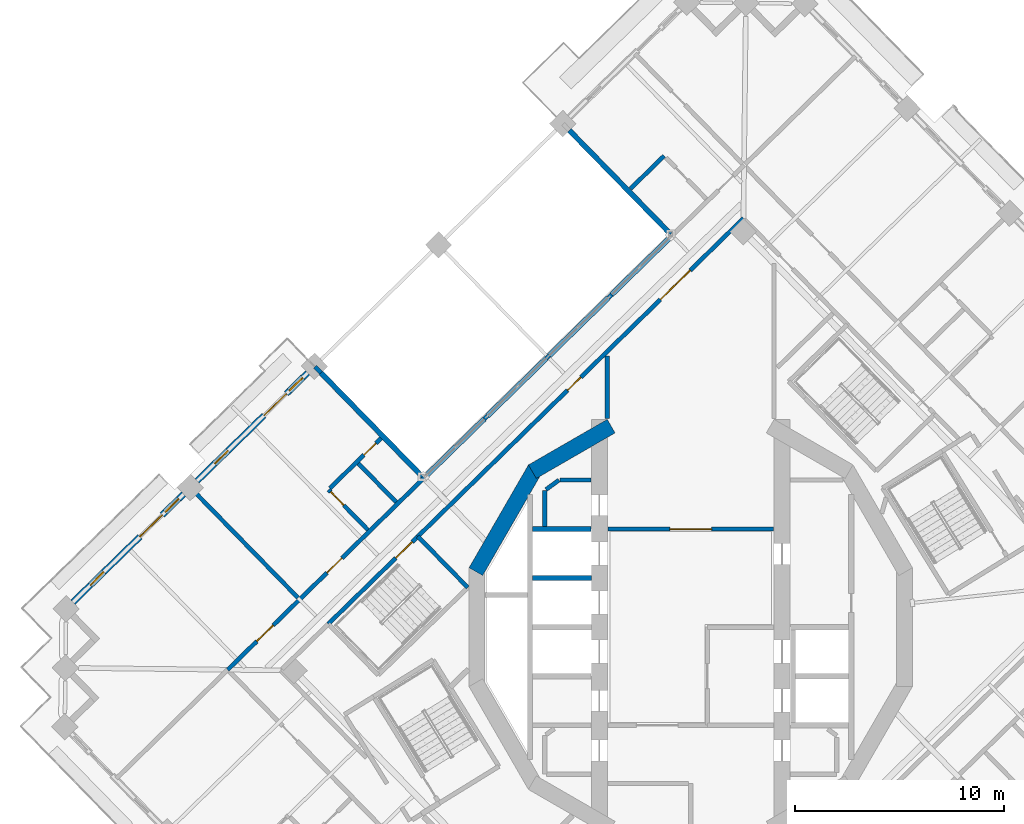
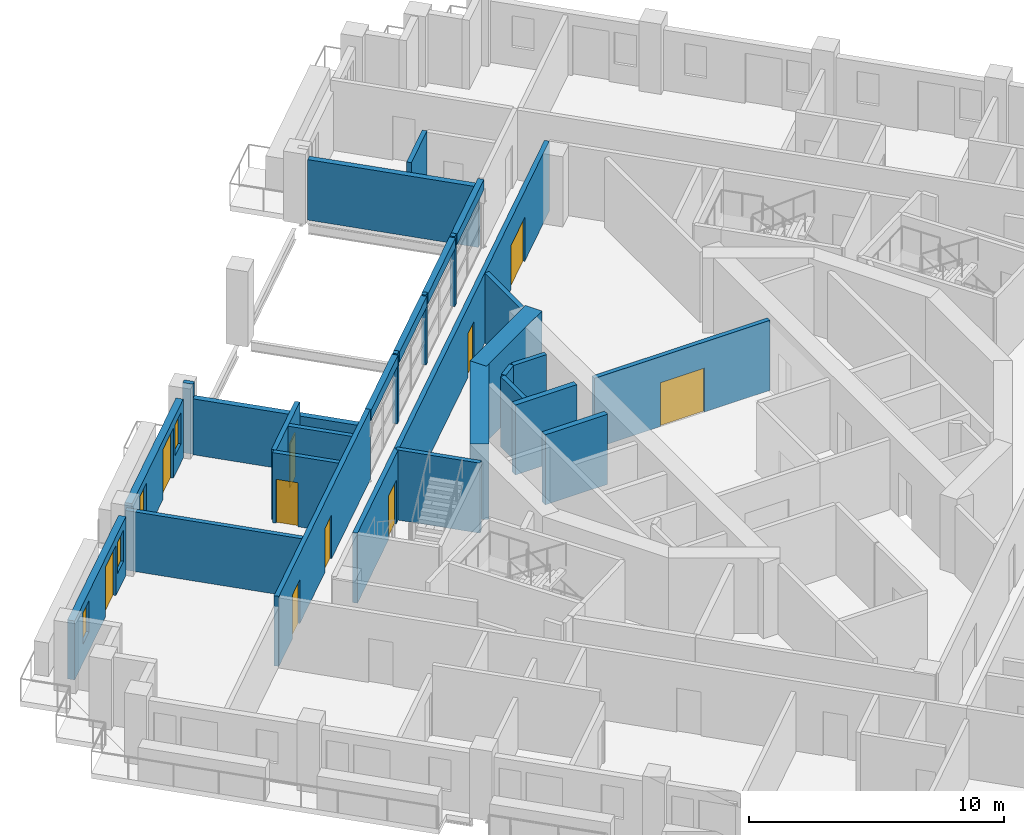
# One storey, part 9 of 19: 30 walls, 10 doors, 4 windows, 14 openings.
"""IFC4 building model written with IfcOpenShell, lengths in metres."""

from ifc_helpers import new_model, si_unit, direction, frame, frame_2d, origin, place, context, subcontext, project, spatial, rectangle, extrude, material, layer, layer_set, type_object, element, fill, save


model = new_model("IFC4")

# Units and contexts
model_context = context("Model", 3, precision=1e-05, world=origin(), true_north=direction((0.0, 1.0)))
body_context = subcontext(model_context, "Body", "Model", "MODEL_VIEW")
ifc_project = project(units=[si_unit("LENGTHUNIT", "METRE"), si_unit("AREAUNIT", "SQUARE_METRE"), si_unit("VOLUMEUNIT", "CUBIC_METRE"), si_unit("PLANEANGLEUNIT", "RADIAN"), si_unit("MASSUNIT", "GRAM", prefix="KILO")], contexts=[model_context])

# Site, building, storey
site_placement = place(None, origin())
site = spatial("IfcSite", under=ifc_project, at=site_placement, CompositionType="ELEMENT")
building_placement = place(site_placement, origin())
building = spatial("IfcBuilding", under=site, at=building_placement, Name="Cantera Rosa Tower", CompositionType="ELEMENT")
storey_placement = place(building_placement, frame((0.0, 0.0, 223.39990234375)))
storey = spatial("IfcBuildingStorey", under=building, at=storey_placement, Name="L48", CompositionType="ELEMENT", Elevation=223.39990234375)

# Wall
ifc_material_1 = material(Name="Gypsum board partition")
ifc_layer_1 = layer(ifc_material_1, 0.199951171875)
ifc_layer_set_1 = layer_set([ifc_layer_1], Name="CORRIDOR WALL 200 H3350")
wall_type_1 = type_object("IfcWallType", Name="CORRIDOR WALL 200 H3350", PredefinedType="PARTITIONING", material=ifc_layer_set_1)
wall_1_placement = place(storey_placement, frame((-4.0, 12.998046875, 0.0), z_axis=(0.0, 0.0, 1.0), x_axis=(0.0, -1.0, 0.0)))
element("IfcWall", 1, at=wall_1_placement, inside=storey, type_object=wall_type_1, Name="CORRIDOR WALL L48-054", PredefinedType="PARTITIONING", context=body_context, shape_type="SweptSolid", body=[
    extrude(rectangle(XDim=3.00390625, YDim=0.199951171875, at=frame_2d((1.501953125, 0.0))), origin(), (0.0, 0.0, 1.0), 3.35009765625),
])

# Wall, opening, door
wall_2_placement = place(storey_placement, frame((-3.969970703125, 4.699951171875, 0.0), z_axis=(0.0, 0.0, 1.0), x_axis=(1.0, 0.0, 0.0)))
wall_2 = element("IfcWall", 2, at=wall_2_placement, inside=storey, type_object=wall_type_1, Name="CORRIDOR WALL L48-055", PredefinedType="PARTITIONING", context=body_context, shape_type="SweptSolid", body=[
    extrude(rectangle(XDim=7.93994140625, YDim=0.199951171875, at=frame_2d((3.969970703125, 0.0))), origin(), (0.0, 0.0, 1.0), 3.35009765625),
])
opening_1_placement = place(wall_2_placement, frame((2.969970703125, 0.0, 0.0)))
opening_1 = element("IfcOpeningElement", 3, at=opening_1_placement, cuts=wall_2, Name="Opening L48-013", PredefinedType="OPENING", context=body_context, shape_type="SweptSolid", body=[
    extrude(rectangle(XDim=2.0, YDim=2.10009765625, at=frame_2d((1.0, 1.050048828125))), frame((0.0, 0.10986328125, 0.0), z_axis=(0.0, -1.0, 0.0), x_axis=(1.0, 0.0, 0.0)), (0.0, 0.0, 1.0), 0.219970703125),
])
ifc_material_2 = material(Name="Steel S355J2 (EN 10025-2)", Category="steel")
door_type_1 = type_object("IfcDoorType", Name="LOBBY SCREEN DOOR 2000x2100", OperationType="NOTDEFINED", PredefinedType="DOOR", material=ifc_material_2)
door_1_placement = place(opening_1_placement, origin())
door_1 = element("IfcDoor", 4, at=door_1_placement, inside=storey, type_object=door_type_1, Name="DOOR L48-013", OperationType="NOTDEFINED", OverallHeight=2.10009765625, OverallWidth=2.0, PredefinedType="DOOR", context=body_context, shape_type="SweptSolid", body=[
    extrude(rectangle(XDim=2.0, YDim=2.10009765625, at=frame_2d((1.0, 1.050048828125))), frame((0.0, 0.02490234375, 0.0), z_axis=(0.0, -1.0, 0.0), x_axis=(1.0, 0.0, 0.0)), (0.0, 0.0, 1.0), 0.050048828125),
])
fill(opening_1, door_1)

# Wall, openings, doors
wall_3_placement = place(storey_placement, frame((2.5263671875, 19.593994140625, 0.0), z_axis=(0.0, 0.0, 1.0), x_axis=(-0.715295644999, -0.698821966059, 0.0)))
wall_3 = element("IfcWall", 5, at=wall_3_placement, inside=storey, type_object=wall_type_1, Name="CORRIDOR WALL L48-069", PredefinedType="PARTITIONING", context=body_context, shape_type="SweptSolid", body=[
    extrude(rectangle(XDim=21.815185546875, YDim=0.199951171875, at=frame_2d((10.90771484375, 0.0))), origin(), (0.0, 0.0, 1.0), 3.35009765625),
])
opening_2_placement = place(wall_3_placement, frame((10.89501953125, 0.0, 0.0)))
opening_2 = element("IfcOpeningElement", 6, at=opening_2_placement, cuts=wall_3, Name="Opening L48-008", PredefinedType="OPENING", context=body_context, shape_type="SweptSolid", body=[
    extrude(rectangle(XDim=0.89990234375, YDim=2.10009765625, at=frame_2d((0.449951171875, 1.050048828125))), frame((0.0, 0.10986328125, 0.0), z_axis=(0.0, -1.0, 0.0), x_axis=(1.0, 0.0, 0.0)), (0.0, 0.0, 1.0), 0.219970703125),
])
opening_3_placement = place(wall_3_placement, frame((3.56201171875, 0.0, 0.0)))
opening_3 = element("IfcOpeningElement", 7, at=opening_3_placement, cuts=wall_3, Name="Opening L48-012", PredefinedType="OPENING", context=body_context, shape_type="SweptSolid", body=[
    extrude(rectangle(XDim=2.0, YDim=2.10009765625, at=frame_2d((1.0, 1.050048828125))), frame((0.0, 0.10986328125, 0.0), z_axis=(0.0, -1.0, 0.0), x_axis=(1.0, 0.0, 0.0)), (0.0, 0.0, 1.0), 0.219970703125),
])
door_2_placement = place(opening_3_placement, origin())
door_2 = element("IfcDoor", 8, at=door_2_placement, inside=storey, type_object=door_type_1, Name="DOOR L48-012", OperationType="NOTDEFINED", OverallHeight=2.10009765625, OverallWidth=2.0, PredefinedType="DOOR", context=body_context, shape_type="SweptSolid", body=[
    extrude(rectangle(XDim=2.0, YDim=2.10009765625, at=frame_2d((1.0, 1.050048828125))), frame((0.0, 0.02490234375, 0.0), z_axis=(0.0, -1.0, 0.0), x_axis=(1.0, 0.0, 0.0)), (0.0, 0.0, 1.0), 0.050048828125),
])
fill(opening_3, door_2)
ifc_material_3 = material(Name="Timber door leaf", Category="wood")
door_type_2 = type_object("IfcDoorType", Name="SERVICE DOOR 900x2100", OperationType="NOTDEFINED", PredefinedType="DOOR", material=ifc_material_3)
door_3_placement = place(opening_2_placement, origin())
door_3 = element("IfcDoor", 9, at=door_3_placement, inside=storey, type_object=door_type_2, Name="DOOR L48-008", OperationType="NOTDEFINED", OverallHeight=2.10009765625, OverallWidth=0.89990234375, PredefinedType="DOOR", context=body_context, shape_type="SweptSolid", body=[
    extrude(rectangle(XDim=0.89990234375, YDim=2.10009765625, at=frame_2d((0.449951171875, 1.050048828125))), frame((0.0, 0.02490234375, 0.0), z_axis=(0.0, -1.0, 0.0), x_axis=(1.0, 0.0, 0.0)), (0.0, 0.0, 1.0), 0.050048828125),
])
fill(opening_2, door_3)

# Walls
wall_4_placement = place(storey_placement, frame((-3.789306640625, 15.940185546875, 0.0), z_axis=(0.0, 0.0, 1.0), x_axis=(-0.715454268006, -0.698659566879, 0.0)))
element("IfcWall", 10, at=wall_4_placement, inside=storey, type_object=wall_type_1, Name="CORRIDOR WALL L48-071", PredefinedType="PARTITIONING", context=body_context, shape_type="SweptSolid", body=[
    extrude(rectangle(XDim=0.218017578125, YDim=0.199951171875, at=frame_2d((0.10888671875, 0.0))), origin(), (0.0, 0.0, 1.0), 3.35009765625),
])
wall_5_placement = place(storey_placement, frame((-6.773681640625, 13.024658203125, 0.0), z_axis=(0.0, 0.0, 1.0), x_axis=(-0.715244422752, -0.698874391949, 0.0)))
element("IfcWall", 11, at=wall_5_placement, inside=storey, type_object=wall_type_1, Name="CORRIDOR WALL L48-072", PredefinedType="PARTITIONING", context=body_context, shape_type="SweptSolid", body=[
    extrude(rectangle(XDim=0.19384765625, YDim=0.199951171875, at=frame_2d((0.096923828125, 0.0))), origin(), (0.0, 0.0, 1.0), 3.35009765625),
])
wall_6_placement = place(storey_placement, frame((-9.740478515625, 10.1259765625, 0.0), z_axis=(0.0, 0.0, 1.0), x_axis=(-0.715454268006, -0.698659566879, 0.0)))
element("IfcWall", 12, at=wall_6_placement, inside=storey, type_object=wall_type_1, Name="CORRIDOR WALL L48-073", PredefinedType="PARTITIONING", context=body_context, shape_type="SweptSolid", body=[
    extrude(rectangle(XDim=0.218017578125, YDim=0.199951171875, at=frame_2d((0.10888671875, 0.0))), origin(), (0.0, 0.0, 1.0), 3.35009765625),
])

# Wall, openings, doors
wall_7_placement = place(storey_placement, frame((-12.704833984375, 7.22998046875, 0.0), z_axis=(0.0, 0.0, 1.0), x_axis=(-0.715285886085, -0.698831954885, 0.0)))
wall_7 = element("IfcWall", 13, at=wall_7_placement, inside=storey, type_object=wall_type_1, Name="CORRIDOR WALL L48-074", PredefinedType="PARTITIONING", context=body_context, shape_type="SweptSolid", body=[
    extrude(rectangle(XDim=13.26513671875, YDim=0.199951171875, at=frame_2d((6.632568359375, 0.0))), origin(), (0.0, 0.0, 1.0), 3.35009765625),
])
opening_4_placement = place(wall_7_placement, frame((5.610107421875, 0.0, 0.0)))
opening_4 = element("IfcOpeningElement", 14, at=opening_4_placement, cuts=wall_7, Name="Opening L48-030", PredefinedType="OPENING", context=body_context, shape_type="SweptSolid", body=[
    extrude(rectangle(XDim=1.0, YDim=2.10009765625, at=frame_2d((0.5, 1.050048828125))), frame((0.0, 0.10986328125, 0.0), z_axis=(0.0, -1.0, 0.0), x_axis=(1.0, 0.0, 0.0)), (0.0, 0.0, 1.0), 0.219970703125),
])
opening_5_placement = place(wall_7_placement, frame((10.215087890625, 0.0, 0.0)))
opening_5 = element("IfcOpeningElement", 15, at=opening_5_placement, cuts=wall_7, Name="Opening L48-036", PredefinedType="OPENING", context=body_context, shape_type="SweptSolid", body=[
    extrude(rectangle(XDim=1.10009765625, YDim=2.10009765625, at=frame_2d((0.550048828125, 1.050048828125))), frame((0.0, 0.10986328125, 0.0), z_axis=(0.0, -1.0, 0.0), x_axis=(1.0, 0.0, 0.0)), (0.0, 0.0, 1.0), 0.219970703125),
])
ifc_material_4 = material(Name="Timber door leaf", Category="wood")
door_type_3 = type_object("IfcDoorType", Name="ENTRANCE DOOR 1000x2100", OperationType="NOTDEFINED", PredefinedType="DOOR", material=ifc_material_4)
door_4_placement = place(opening_4_placement, origin())
door_4 = element("IfcDoor", 16, at=door_4_placement, inside=storey, type_object=door_type_3, Name="DOOR L48-030", OperationType="NOTDEFINED", OverallHeight=2.10009765625, OverallWidth=1.0, PredefinedType="DOOR", context=body_context, shape_type="SweptSolid", body=[
    extrude(rectangle(XDim=1.0, YDim=2.10009765625, at=frame_2d((0.5, 1.050048828125))), frame((0.0, 0.02490234375, 0.0), z_axis=(0.0, -1.0, 0.0), x_axis=(1.0, 0.0, 0.0)), (0.0, 0.0, 1.0), 0.050048828125),
])
fill(opening_4, door_4)
ifc_material_5 = material(Name="Timber door leaf", Category="wood")
door_type_4 = type_object("IfcDoorType", Name="ROOM DOOR 1100x2100", OperationType="NOTDEFINED", PredefinedType="DOOR", material=ifc_material_5)
door_5_placement = place(opening_5_placement, origin())
door_5 = element("IfcDoor", 17, at=door_5_placement, inside=storey, type_object=door_type_4, Name="DOOR L48-036", OperationType="NOTDEFINED", OverallHeight=2.10009765625, OverallWidth=1.10009765625, PredefinedType="DOOR", context=body_context, shape_type="SweptSolid", body=[
    extrude(rectangle(XDim=1.10009765625, YDim=2.10009765625, at=frame_2d((0.550048828125, 1.050048828125))), frame((0.0, 0.02490234375, 0.0), z_axis=(0.0, -1.0, 0.0), x_axis=(1.0, 0.0, 0.0)), (0.0, 0.0, 1.0), 0.050048828125),
])
fill(opening_5, door_5)

# Wall, openings, windows, door
ifc_material_6 = material(Name="Hollow clay masonry with cantera stone cladding", Category="masonry")
ifc_layer_2 = layer(ifc_material_6, 0.300048828125)
ifc_layer_set_2 = layer_set([ifc_layer_2], Name="EW-LOGGIA 300 H2820")
wall_type_2 = type_object("IfcWallType", Name="EW-LOGGIA 300 H2820", PredefinedType="SOLIDWALL", material=ifc_layer_set_2)
wall_8_placement = place(storey_placement, frame((-18.357177734375, 12.19287109375, 0.0), z_axis=(0.0, 0.0, 1.0), x_axis=(-0.715300826176, -0.698816662703, 0.0)))
wall_8 = element("IfcWall", 18, at=wall_8_placement, inside=storey, type_object=wall_type_2, Name="EN-L48-W10", PredefinedType="SOLIDWALL", context=body_context, shape_type="SweptSolid", body=[
    extrude(rectangle(XDim=7.420166015625, YDim=0.300048828125, at=frame_2d((3.7099609375, 0.0))), origin(), (0.0, 0.0, 1.0), 2.820068359375),
])
opening_6_placement = place(wall_8_placement, frame((0.330078125, 0.0, 0.89990234375)))
opening_6 = element("IfcOpeningElement", 19, at=opening_6_placement, cuts=wall_8, Name="Opening L48-W16", PredefinedType="OPENING", context=body_context, shape_type="SweptSolid", body=[
    extrude(rectangle(XDim=0.89990234375, YDim=1.5, at=frame_2d((0.449951171875, 0.75))), frame((0.0, 0.159912109375, 0.0), z_axis=(0.0, -1.0, 0.0), x_axis=(1.0, 0.0, 0.0)), (0.0, 0.0, 1.0), 0.320068359375),
])
opening_7_placement = place(wall_8_placement, frame((1.429931640625, 0.0, 0.0)))
opening_7 = element("IfcOpeningElement", 20, at=opening_7_placement, cuts=wall_8, Name="Opening L48-TD17", PredefinedType="OPENING", context=body_context, shape_type="SweptSolid", body=[
    extrude(rectangle(XDim=1.5, YDim=2.39990234375, at=frame_2d((0.75, 1.199951171875))), frame((0.0, 0.159912109375, 0.0), z_axis=(0.0, -1.0, 0.0), x_axis=(1.0, 0.0, 0.0)), (0.0, 0.0, 1.0), 0.320068359375),
])
opening_8_placement = place(wall_8_placement, frame((5.340087890625, 0.0, 0.89990234375)))
opening_8 = element("IfcOpeningElement", 21, at=opening_8_placement, cuts=wall_8, Name="Opening L48-W18", PredefinedType="OPENING", context=body_context, shape_type="SweptSolid", body=[
    extrude(rectangle(XDim=0.89990234375, YDim=1.5, at=frame_2d((0.449951171875, 0.75))), frame((0.0, 0.159912109375, 0.0), z_axis=(0.0, -1.0, 0.0), x_axis=(1.0, 0.0, 0.0)), (0.0, 0.0, 1.0), 0.320068359375),
])
ifc_material_7 = material(Name="Aluminium frame with clear glass", Category="aluminium")
window_type = type_object("IfcWindowType", Name="Residential window 900x1500", PartitioningType="SINGLE_PANEL", PredefinedType="WINDOW", material=ifc_material_7)
window_1_placement = place(opening_6_placement, origin())
window_1 = element("IfcWindow", 22, at=window_1_placement, inside=storey, type_object=window_type, Name="WINDOW L48-W16", OverallHeight=1.5, OverallWidth=0.89990234375, PartitioningType="SINGLE_PANEL", PredefinedType="WINDOW", context=body_context, shape_type="SweptSolid", body=[
    extrude(rectangle(XDim=0.89990234375, YDim=1.5, at=frame_2d((0.449951171875, 0.75))), frame((0.0, 0.030029296875, 0.0), z_axis=(0.0, -1.0, 0.0), x_axis=(1.0, 0.0, 0.0)), (0.0, 0.0, 1.0), 0.06005859375),
])
fill(opening_6, window_1)
window_2_placement = place(opening_8_placement, origin())
window_2 = element("IfcWindow", 23, at=window_2_placement, inside=storey, type_object=window_type, Name="WINDOW L48-W18", OverallHeight=1.5, OverallWidth=0.89990234375, PartitioningType="SINGLE_PANEL", PredefinedType="WINDOW", context=body_context, shape_type="SweptSolid", body=[
    extrude(rectangle(XDim=0.89990234375, YDim=1.5, at=frame_2d((0.449951171875, 0.75))), frame((0.0, 0.030029296875, 0.0), z_axis=(0.0, -1.0, 0.0), x_axis=(1.0, 0.0, 0.0)), (0.0, 0.0, 1.0), 0.06005859375),
])
fill(opening_8, window_2)
ifc_material_8 = material(Name="Aluminium frame with clear glass", Category="aluminium")
door_type_5 = type_object("IfcDoorType", Name="TD-R 1500x2400", OperationType="NOTDEFINED", PredefinedType="DOOR", material=ifc_material_8)
door_6_placement = place(opening_7_placement, origin())
door_6 = element("IfcDoor", 24, at=door_6_placement, inside=storey, type_object=door_type_5, Name="LOGGIA DOOR L48-TD17", OperationType="SLIDING_TO_LEFT", OverallHeight=2.39990234375, OverallWidth=1.5, PredefinedType="DOOR", context=body_context, shape_type="SweptSolid", body=[
    extrude(rectangle(XDim=1.5, YDim=2.39990234375, at=frame_2d((0.75, 1.199951171875))), frame((0.0, 0.02490234375, 0.0), z_axis=(0.0, -1.0, 0.0), x_axis=(1.0, 0.0, 0.0)), (0.0, 0.0, 1.0), 0.050048828125),
])
fill(opening_7, door_6)

wall_9_placement = place(storey_placement, frame((-24.308349609375, 6.37841796875, 0.0), z_axis=(0.0, 0.0, 1.0), x_axis=(-0.715300826176, -0.698816662703, 0.0)))
wall_9 = element("IfcWall", 25, at=wall_9_placement, inside=storey, type_object=wall_type_2, Name="EN-L48-W11", PredefinedType="SOLIDWALL", context=body_context, shape_type="SweptSolid", body=[
    extrude(rectangle(XDim=7.420166015625, YDim=0.300048828125, at=frame_2d((3.7099609375, 0.0))), origin(), (0.0, 0.0, 1.0), 2.820068359375),
])
opening_9_placement = place(wall_9_placement, frame((0.330078125, 0.0, 0.89990234375)))
opening_9 = element("IfcOpeningElement", 26, at=opening_9_placement, cuts=wall_9, Name="Opening L48-W19", PredefinedType="OPENING", context=body_context, shape_type="SweptSolid", body=[
    extrude(rectangle(XDim=0.89990234375, YDim=1.5, at=frame_2d((0.449951171875, 0.75))), frame((0.0, 0.159912109375, 0.0), z_axis=(0.0, -1.0, 0.0), x_axis=(1.0, 0.0, 0.0)), (0.0, 0.0, 1.0), 0.320068359375),
])
opening_10_placement = place(wall_9_placement, frame((1.429931640625, 0.0, 0.0)))
opening_10 = element("IfcOpeningElement", 27, at=opening_10_placement, cuts=wall_9, Name="Opening L48-TD20", PredefinedType="OPENING", context=body_context, shape_type="SweptSolid", body=[
    extrude(rectangle(XDim=1.5, YDim=2.39990234375, at=frame_2d((0.75, 1.199951171875))), frame((0.0, 0.159912109375, 0.0), z_axis=(0.0, -1.0, 0.0), x_axis=(1.0, 0.0, 0.0)), (0.0, 0.0, 1.0), 0.320068359375),
])
opening_11_placement = place(wall_9_placement, frame((5.340087890625, 0.0, 0.89990234375)))
opening_11 = element("IfcOpeningElement", 28, at=opening_11_placement, cuts=wall_9, Name="Opening L48-W21", PredefinedType="OPENING", context=body_context, shape_type="SweptSolid", body=[
    extrude(rectangle(XDim=0.89990234375, YDim=1.5, at=frame_2d((0.449951171875, 0.75))), frame((0.0, 0.159912109375, 0.0), z_axis=(0.0, -1.0, 0.0), x_axis=(1.0, 0.0, 0.0)), (0.0, 0.0, 1.0), 0.320068359375),
])
window_3_placement = place(opening_9_placement, origin())
window_3 = element("IfcWindow", 29, at=window_3_placement, inside=storey, type_object=window_type, Name="WINDOW L48-W19", OverallHeight=1.5, OverallWidth=0.89990234375, PartitioningType="SINGLE_PANEL", PredefinedType="WINDOW", context=body_context, shape_type="SweptSolid", body=[
    extrude(rectangle(XDim=0.89990234375, YDim=1.5, at=frame_2d((0.449951171875, 0.75))), frame((0.0, 0.030029296875, 0.0), z_axis=(0.0, -1.0, 0.0), x_axis=(1.0, 0.0, 0.0)), (0.0, 0.0, 1.0), 0.06005859375),
])
fill(opening_9, window_3)
window_4_placement = place(opening_11_placement, origin())
window_4 = element("IfcWindow", 30, at=window_4_placement, inside=storey, type_object=window_type, Name="WINDOW L48-W21", OverallHeight=1.5, OverallWidth=0.89990234375, PartitioningType="SINGLE_PANEL", PredefinedType="WINDOW", context=body_context, shape_type="SweptSolid", body=[
    extrude(rectangle(XDim=0.89990234375, YDim=1.5, at=frame_2d((0.449951171875, 0.75))), frame((0.0, 0.030029296875, 0.0), z_axis=(0.0, -1.0, 0.0), x_axis=(1.0, 0.0, 0.0)), (0.0, 0.0, 1.0), 0.06005859375),
])
fill(opening_11, window_4)
door_7_placement = place(opening_10_placement, origin())
door_7 = element("IfcDoor", 31, at=door_7_placement, inside=storey, type_object=door_type_5, Name="LOGGIA DOOR L48-TD20", OperationType="SLIDING_TO_LEFT", OverallHeight=2.39990234375, OverallWidth=1.5, PredefinedType="DOOR", context=body_context, shape_type="SweptSolid", body=[
    extrude(rectangle(XDim=1.5, YDim=2.39990234375, at=frame_2d((0.75, 1.199951171875))), frame((0.0, 0.02490234375, 0.0), z_axis=(0.0, -1.0, 0.0), x_axis=(1.0, 0.0, 0.0)), (0.0, 0.0, 1.0), 0.050048828125),
])
fill(opening_10, door_7)

# Walls
ifc_material_9 = material(Name="Concrete C40/50", Category="concrete")
ifc_layer_3 = layer(ifc_material_9, 0.25)
ifc_layer_set_3 = layer_set([ifc_layer_3], Name="EW-POCKET CHEEK 250 H2670")
wall_type_3 = type_object("IfcWallType", Name="EW-POCKET CHEEK 250 H2670", PredefinedType="SOLIDWALL", material=ifc_layer_set_3)
wall_10_placement = place(storey_placement, frame((-17.720947265625, 12.185302734375, 0.0), z_axis=(0.0, 0.0, 1.0), x_axis=(0.69883901927, -0.715278984135, 0.0)))
element("IfcWall", 32, at=wall_10_placement, inside=storey, type_object=wall_type_3, Name="POCKET CHEEK B L48", PredefinedType="SOLIDWALL", context=body_context, shape_type="SweptSolid", body=[
    extrude(rectangle(XDim=6.949951171875, YDim=0.25, at=frame_2d((3.47509765625, 0.0))), origin(), (0.0, 0.0, 1.0), 2.670166015625),
])
ifc_material_10 = material(Name="Concrete C40/50", Category="concrete")
ifc_layer_4 = layer(ifc_material_10, 0.25)
ifc_layer_set_4 = layer_set([ifc_layer_4], Name="EW-POCKET CHEEK 250 H2890")
wall_type_4 = type_object("IfcWallType", Name="EW-POCKET CHEEK 250 H2890", PredefinedType="SOLIDWALL", material=ifc_layer_set_4)
wall_11_placement = place(storey_placement, frame((-5.818603515625, 23.81396484375, 0.0), z_axis=(0.0, 0.0, 1.0), x_axis=(0.69883901927, -0.715278984135, 0.0)))
element("IfcWall", 33, at=wall_11_placement, inside=storey, type_object=wall_type_4, Name="POCKET CHEEK A L48", PredefinedType="SOLIDWALL", context=body_context, shape_type="SweptSolid", body=[
    extrude(rectangle(XDim=6.949951171875, YDim=0.25, at=frame_2d((3.47509765625, 0.0))), origin(), (0.0, 0.0, 1.0), 2.89013671875),
])
ifc_material_11 = material(Name="Hollow clay masonry with cantera stone cladding", Category="masonry")
ifc_layer_5 = layer(ifc_material_11, 0.25)
ifc_layer_set_5 = layer_set([ifc_layer_5], Name="EW-POCKET REAR 250")
wall_type_5 = type_object("IfcWallType", Name="EW-POCKET REAR 250", PredefinedType="SOLIDWALL", material=ifc_layer_set_5)
wall_12_placement = place(storey_placement, frame((-0.981201171875, 18.683837890625, 2.81005859375), z_axis=(0.0, 0.0, 1.0), x_axis=(-0.715298105305, -0.698819447745, 0.0)))
element("IfcWall", 34, at=wall_12_placement, inside=storey, type_object=wall_type_5, Name="POCKET SPANDREL L48-1", PredefinedType="SOLIDWALL", context=body_context, shape_type="SweptSolid", body=[
    extrude(rectangle(XDim=3.926025390625, YDim=0.25, at=frame_2d((1.962890625, 0.0))), origin(), (0.0, 0.0, 1.0), 0.489990234375),
])
for number, where, z_axis, x_axis, name in (
    (35, (-3.9453125, 15.787841796875, 2.81005859375), (0.0, 0.0, 1.0), (-0.71530152891, -0.698815943392, 0.0), "POCKET SPANDREL L48-2"),
    (36, (-6.912353515625, 12.88916015625, 2.81005859375), (0.0, 0.0, 1.0), (-0.71530152891, -0.698815943392, 0.0), "POCKET SPANDREL L48-3"),
):
    element("IfcWall", number, at=place(storey_placement, frame(where, z_axis=z_axis, x_axis=x_axis)), inside=storey, type_object=wall_type_5, Name=name, PredefinedType="SOLIDWALL", context=body_context, shape_type="SweptSolid", body=[
        extrude(rectangle(XDim=3.9541015625, YDim=0.25, at=frame_2d((1.97705078125, 0.0))), origin(), (0.0, 0.0, 1.0), 0.489990234375),
    ])
wall_13_placement = place(storey_placement, frame((-9.896484375, 9.9736328125, 2.81005859375), z_axis=(0.0, 0.0, 1.0), x_axis=(-0.715298105305, -0.698819447745, 0.0)))
element("IfcWall", 37, at=wall_13_placement, inside=storey, type_object=wall_type_5, Name="POCKET SPANDREL L48-4", PredefinedType="SOLIDWALL", context=body_context, shape_type="SweptSolid", body=[
    extrude(rectangle(XDim=3.926025390625, YDim=0.25, at=frame_2d((1.962890625, 0.0))), origin(), (0.0, 0.0, 1.0), 0.489990234375),
])
ifc_material_12 = material(Name="Gypsum board partition")
ifc_layer_6 = layer(ifc_material_12, 0.199951171875)
ifc_layer_set_6 = layer_set([ifc_layer_6], Name="PARTITION 200 H3350")
wall_type_6 = type_object("IfcWallType", Name="PARTITION 200 H3350", PredefinedType="PARTITIONING", material=ifc_layer_set_6)
wall_14_placement = place(storey_placement, frame((-18.014404296875, 12.48583984375, 0.0), z_axis=(0.0, 0.0, 1.0), x_axis=(0.698628837203, -0.715484275039, 0.0)))
element("IfcWall", 38, at=wall_14_placement, inside=storey, type_object=wall_type_6, Name="PARTITION L48-008", PredefinedType="PARTITIONING", context=body_context, shape_type="SweptSolid", body=[
    extrude(rectangle(XDim=0.420166015625, YDim=0.199951171875, at=frame_2d((0.2099609375, 0.0))), origin(), (0.0, 0.0, 1.0), 3.35009765625),
])

# Wall, opening, door
wall_15_placement = place(storey_placement, frame((-17.290283203125, 6.66455078125, 0.0), z_axis=(0.0, 0.0, 1.0), x_axis=(0.715315511072, 0.698801631094, 0.0)))
wall_15 = element("IfcWall", 39, at=wall_15_placement, inside=storey, type_object=wall_type_6, Name="PARTITION L48-010", PredefinedType="PARTITIONING", context=body_context, shape_type="SweptSolid", body=[
    extrude(rectangle(XDim=3.4150390625, YDim=0.199951171875, at=frame_2d((1.70751953125, 0.0))), origin(), (0.0, 0.0, 1.0), 3.35009765625),
])
opening_12_placement = place(wall_15_placement, frame((2.27490234375, 0.0, 0.0)))
opening_12 = element("IfcOpeningElement", 40, at=opening_12_placement, cuts=wall_15, Name="Opening L48-031", PredefinedType="OPENING", context=body_context, shape_type="SweptSolid", body=[
    extrude(rectangle(XDim=0.800048828125, YDim=2.10009765625, at=frame_2d((0.39990234375, 1.050048828125))), frame((0.0, 0.10986328125, 0.0), z_axis=(0.0, -1.0, 0.0), x_axis=(1.0, 0.0, 0.0)), (0.0, 0.0, 1.0), 0.219970703125),
])
ifc_material_13 = material(Name="Timber door leaf", Category="wood")
door_type_6 = type_object("IfcDoorType", Name="BATHROOM DOOR 800x2100", OperationType="NOTDEFINED", PredefinedType="DOOR", material=ifc_material_13)
door_8_placement = place(opening_12_placement, origin())
door_8 = element("IfcDoor", 41, at=door_8_placement, inside=storey, type_object=door_type_6, Name="DOOR L48-031", OperationType="NOTDEFINED", OverallHeight=2.10009765625, OverallWidth=0.800048828125, PredefinedType="DOOR", context=body_context, shape_type="SweptSolid", body=[
    extrude(rectangle(XDim=0.800048828125, YDim=2.10009765625, at=frame_2d((0.39990234375, 1.050048828125))), frame((0.0, 0.02490234375, 0.0), z_axis=(0.0, -1.0, 0.0), x_axis=(1.0, 0.0, 0.0)), (0.0, 0.0, 1.0), 0.050048828125),
])
fill(opening_12, door_8)

wall_16_placement = place(storey_placement, frame((-15.474853515625, 4.663330078125, 0.0), z_axis=(0.0, 0.0, 1.0), x_axis=(-0.69883098597, 0.71528683271, 0.0)))
wall_16 = element("IfcWall", 42, at=wall_16_placement, inside=storey, type_object=wall_type_6, Name="PARTITION L48-014", PredefinedType="PARTITIONING", context=body_context, shape_type="SweptSolid", body=[
    extrude(rectangle(XDim=2.7001953125, YDim=0.199951171875, at=frame_2d((1.35009765625, 0.0))), origin(), (0.0, 0.0, 1.0), 3.35009765625),
])
opening_13_placement = place(wall_16_placement, frame((1.64990234375, 0.0, 0.0)))
opening_13 = element("IfcOpeningElement", 43, at=opening_13_placement, cuts=wall_16, Name="Opening L48-032", PredefinedType="OPENING", context=body_context, shape_type="SweptSolid", body=[
    extrude(rectangle(XDim=0.89990234375, YDim=2.10009765625, at=frame_2d((0.449951171875, 1.050048828125))), frame((0.0, 0.10986328125, 0.0), z_axis=(0.0, -1.0, 0.0), x_axis=(1.0, 0.0, 0.0)), (0.0, 0.0, 1.0), 0.219970703125),
])
ifc_material_14 = material(Name="Timber door leaf", Category="wood")
door_type_7 = type_object("IfcDoorType", Name="ROOM DOOR 900x2100", OperationType="NOTDEFINED", PredefinedType="DOOR", material=ifc_material_14)
door_9_placement = place(opening_13_placement, origin())
door_9 = element("IfcDoor", 44, at=door_9_placement, inside=storey, type_object=door_type_7, Name="DOOR L48-032", OperationType="NOTDEFINED", OverallHeight=2.10009765625, OverallWidth=0.89990234375, PredefinedType="DOOR", context=body_context, shape_type="SweptSolid", body=[
    extrude(rectangle(XDim=0.89990234375, YDim=2.10009765625, at=frame_2d((0.449951171875, 1.050048828125))), frame((0.0, 0.02490234375, 0.0), z_axis=(0.0, -1.0, 0.0), x_axis=(1.0, 0.0, 0.0)), (0.0, 0.0, 1.0), 0.050048828125),
])
fill(opening_13, door_9)

# Walls
wall_17_placement = place(storey_placement, frame((-14.11572265625, 5.9912109375, 0.0), z_axis=(0.0, 0.0, 1.0), x_axis=(-0.698843440373, 0.71527466462, 0.0)))
element("IfcWall", 45, at=wall_17_placement, inside=storey, type_object=wall_type_6, Name="PARTITION L48-019", PredefinedType="PARTITIONING", context=body_context, shape_type="SweptSolid", body=[
    extrude(rectangle(XDim=2.60009765625, YDim=0.199951171875, at=frame_2d((1.300048828125, 0.0))), origin(), (0.0, 0.0, 1.0), 3.35009765625),
])
wall_18_placement = place(storey_placement, frame((-7.0, 4.824951171875, 0.0), z_axis=(0.0, 0.0, 1.0), x_axis=(0.0, 1.0, 0.0)))
element("IfcWall", 46, at=wall_18_placement, inside=storey, type_object=wall_type_6, Name="PARTITION L48-043", PredefinedType="PARTITIONING", context=body_context, shape_type="SweptSolid", body=[
    extrude(rectangle(XDim=1.72509765625, YDim=0.199951171875, at=frame_2d((0.862548828125, 0.0))), origin(), (0.0, 0.0, 1.0), 3.35009765625),
])
wall_19_placement = place(storey_placement, frame((-6.935302734375, 6.59716796875, 0.0), z_axis=(0.0, 0.0, 1.0), x_axis=(0.808227862651, 0.588869868506, 0.0)))
element("IfcWall", 47, at=wall_19_placement, inside=storey, type_object=wall_type_6, Name="PARTITION L48-044", PredefinedType="PARTITIONING", context=body_context, shape_type="SweptSolid", body=[
    extrude(rectangle(XDim=0.76904296875, YDim=0.199951171875, at=frame_2d((0.384521484375, 0.0))), origin(), (0.0, 0.0, 1.0), 3.35009765625),
])
wall_20_placement = place(storey_placement, frame((-6.273681640625, 7.050048828125, 0.0), z_axis=(0.0, 0.0, 1.0), x_axis=(1.0, 0.0, 0.0)))
element("IfcWall", 48, at=wall_20_placement, inside=storey, type_object=wall_type_6, Name="PARTITION L48-045", PredefinedType="PARTITIONING", context=body_context, shape_type="SweptSolid", body=[
    extrude(rectangle(XDim=1.49365234375, YDim=0.199951171875, at=frame_2d((0.746826171875, 0.0))), origin(), (0.0, 0.0, 1.0), 3.35009765625),
])
wall_21_placement = place(storey_placement, frame((-2.8916015625, 21.011474609375, 0.0), z_axis=(0.0, 0.0, 1.0), x_axis=(0.715304752003, 0.698812644249, 0.0)))
element("IfcWall", 49, at=wall_21_placement, inside=storey, type_object=wall_type_6, Name="PARTITION L48-056", PredefinedType="PARTITIONING", context=body_context, shape_type="SweptSolid", body=[
    extrude(rectangle(XDim=2.264892578125, YDim=0.199951171875, at=frame_2d((1.13232421875, 0.0))), origin(), (0.0, 0.0, 1.0), 3.35009765625),
])
ifc_material_15 = material(Name="Gypsum board partition")
ifc_layer_7 = layer(ifc_material_15, 0.199951171875)
ifc_layer_set_7 = layer_set([ifc_layer_7], Name="PARTY WALL 200 H2850")
wall_type_7 = type_object("IfcWallType", Name="PARTY WALL 200 H2850", PredefinedType="PARTITIONING", material=ifc_layer_set_7)
wall_22_placement = place(storey_placement, frame((-18.8291015625, 1.414306640625, 0.0), z_axis=(0.0, 0.0, 1.0), x_axis=(-0.698854556514, 0.71526380367, 0.0)))
element("IfcWall", 50, at=wall_22_placement, inside=storey, type_object=wall_type_7, Name="PARTY WALL L48-006", PredefinedType="PARTITIONING", context=body_context, shape_type="SweptSolid", body=[
    extrude(rectangle(XDim=7.349853515625, YDim=0.199951171875, at=frame_2d((3.6748046875, 0.0))), origin(), (0.0, 0.0, 1.0), 2.85009765625),
])
ifc_material_16 = material(Name="Concrete C60/75", Category="concrete")
ifc_layer_8 = layer(ifc_material_16, 0.75)
ifc_layer_set_8 = layer_set([ifc_layer_8], Name="RC CORE WALL 750 C60/75")
wall_type_8 = type_object("IfcWallType", Name="RC CORE WALL 750 C60/75", PredefinedType="SHEAR", material=ifc_layer_set_8)
wall_23_placement = place(storey_placement, frame((-10.300537109375, 2.659423828125, 0.0), z_axis=(0.0, 0.0, 1.0), x_axis=(0.500021842983, 0.866012792365, 0.0)))
element("IfcWall", 51, at=wall_23_placement, inside=storey, type_object=wall_type_8, Name="CW-W4 L48", PredefinedType="SHEAR", context=body_context, shape_type="SweptSolid", body=[
    extrude(rectangle(XDim=5.694091796875, YDim=0.75, at=frame_2d((2.84716796875, 0.0))), origin(), (0.0, 0.0, 1.0), 3.60009765625),
])
wall_24_placement = place(storey_placement, frame((-7.590576171875, 7.453369140625, 0.0), z_axis=(0.0, 0.0, 1.0), x_axis=(0.866013176292, 0.50002117804, 0.0)))
element("IfcWall", 52, at=wall_24_placement, inside=storey, type_object=wall_type_8, Name="CW-W5 L48", PredefinedType="SHEAR", context=body_context, shape_type="SweptSolid", body=[
    extrude(rectangle(XDim=4.362548828125, YDim=0.75, at=frame_2d((2.18115234375, 0.0))), origin(), (0.0, 0.0, 1.0), 3.60009765625),
])
ifc_material_17 = material(Name="Masonry blockwork", Category="masonry")
ifc_layer_9 = layer(ifc_material_17, 0.25)
ifc_layer_set_9 = layer_set([ifc_layer_9], Name="SHAFT WALL 250 H3350")
wall_type_9 = type_object("IfcWallType", Name="SHAFT WALL 250 H3350", PredefinedType="SOLIDWALL", material=ifc_layer_set_9)
wall_25_placement = place(storey_placement, frame((-7.574951171875, 2.35009765625, 0.0), z_axis=(0.0, 0.0, 1.0), x_axis=(1.0, 0.0, 0.0)))
element("IfcWall", 53, at=wall_25_placement, inside=storey, type_object=wall_type_9, Name="SHAFT WALL L48-036", PredefinedType="SOLIDWALL", context=body_context, shape_type="SweptSolid", body=[
    extrude(rectangle(XDim=2.824951171875, YDim=0.25, at=frame_2d((1.41259765625, 0.0))), origin(), (0.0, 0.0, 1.0), 3.35009765625),
])
wall_26_placement = place(storey_placement, frame((-7.574951171875, 4.699951171875, 0.0), z_axis=(0.0, 0.0, 1.0), x_axis=(1.0, 0.0, 0.0)))
element("IfcWall", 54, at=wall_26_placement, inside=storey, type_object=wall_type_9, Name="SHAFT WALL L48-037", PredefinedType="SOLIDWALL", context=body_context, shape_type="SweptSolid", body=[
    extrude(rectangle(XDim=2.794921875, YDim=0.25, at=frame_2d((1.3974609375, 0.0))), origin(), (0.0, 0.0, 1.0), 3.35009765625),
])

# Wall, opening, door
ifc_material_18 = material(Name="Concrete C50/60", Category="concrete")
ifc_layer_10 = layer(ifc_material_18, 0.199951171875)
ifc_layer_set_10 = layer_set([ifc_layer_10], Name="STAIR WALL 200 H3350")
wall_type_10 = type_object("IfcWallType", Name="STAIR WALL 200 H3350", PredefinedType="SOLIDWALL", material=ifc_layer_set_10)
wall_27_placement = place(storey_placement, frame((-13.077880859375, 4.34912109375, 0.0), z_axis=(0.0, 0.0, 1.0), x_axis=(-0.715278260946, -0.698839759471, 0.0)))
wall_27 = element("IfcWall", 55, at=wall_27_placement, inside=storey, type_object=wall_type_10, Name="STAIR WALL L48-022", PredefinedType="SOLIDWALL", context=body_context, shape_type="SweptSolid", body=[
    extrude(rectangle(XDim=6.0, YDim=0.199951171875, at=frame_2d((3.0, 0.0))), origin(), (0.0, 0.0, 1.0), 3.35009765625),
])
opening_14_placement = place(wall_27_placement, frame((0.375, 0.0, 0.0)))
opening_14 = element("IfcOpeningElement", 56, at=opening_14_placement, cuts=wall_27, Name="Opening L48-004", PredefinedType="OPENING", context=body_context, shape_type="SweptSolid", body=[
    extrude(rectangle(XDim=1.10009765625, YDim=2.10009765625, at=frame_2d((0.550048828125, 1.050048828125))), frame((0.0, 0.10986328125, 0.0), z_axis=(0.0, -1.0, 0.0), x_axis=(1.0, 0.0, 0.0)), (0.0, 0.0, 1.0), 0.219970703125),
])
ifc_material_19 = material(Name="Steel S355J2 (EN 10025-2)", Category="steel")
door_type_8 = type_object("IfcDoorType", Name="STAIR DOOR 1100x2100", OperationType="NOTDEFINED", PredefinedType="DOOR", material=ifc_material_19)
door_10_placement = place(opening_14_placement, origin())
door_10 = element("IfcDoor", 57, at=door_10_placement, inside=storey, type_object=door_type_8, Name="DOOR L48-004", OperationType="NOTDEFINED", OverallHeight=2.10009765625, OverallWidth=1.10009765625, PredefinedType="DOOR", context=body_context, shape_type="SweptSolid", body=[
    extrude(rectangle(XDim=1.10009765625, YDim=2.10009765625, at=frame_2d((0.550048828125, 1.050048828125))), frame((0.0, 0.02490234375, 0.0), z_axis=(0.0, -1.0, 0.0), x_axis=(1.0, 0.0, 0.0)), (0.0, 0.0, 1.0), 0.050048828125),
])
fill(opening_14, door_10)

# Wall
wall_28_placement = place(storey_placement, frame((-10.68359375, 1.8984375, 0.0), z_axis=(0.0, 0.0, 1.0), x_axis=(-0.698828566482, 0.715289196527, 0.0)))
element("IfcWall", 58, at=wall_28_placement, inside=storey, type_object=wall_type_10, Name="STAIR WALL L48-030", PredefinedType="SOLIDWALL", context=body_context, shape_type="SweptSolid", body=[
    extrude(rectangle(XDim=3.426025390625, YDim=0.199951171875, at=frame_2d((1.712890625, 0.0))), origin(), (0.0, 0.0, 1.0), 3.35009765625),
])

save(model, "model.ifc")
